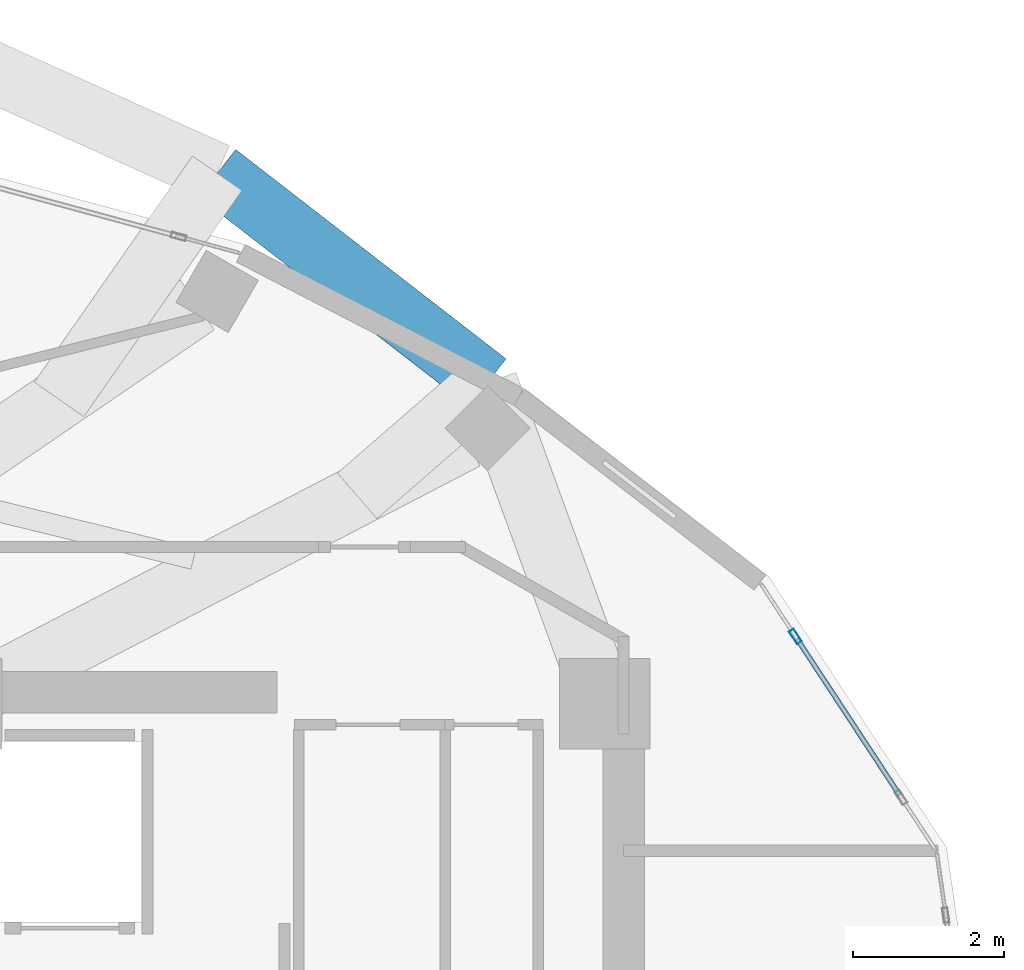
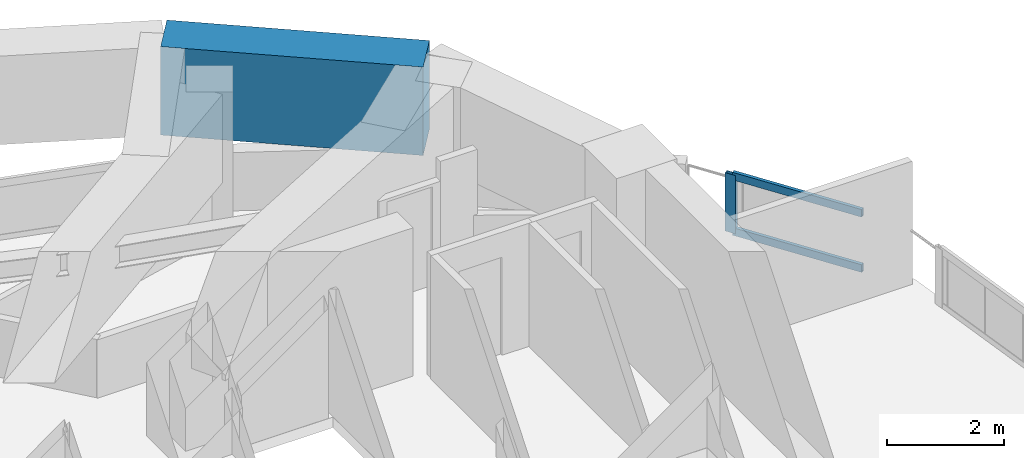
# One storey, part 10 of 20: 3 members, 1 beam, 1 element without a shape of its own.
"""IFC4 building model written with IfcOpenShell, lengths in metres."""

from ifc_helpers import new_model, si_unit, direction, frame, origin, origin_2d, place, context, subcontext, project, spatial, rectangle, hollow_rectangle, extrude, material, layer, layer_set, material_profile, profile_set, type_object, element, aggregate, save


model = new_model("IFC4")

# Units and contexts
model_context = context("Model", 3, precision=1e-05, world=origin(), true_north=direction((0.0, 1.0)))
body_context = subcontext(model_context, "Body", "Model", "MODEL_VIEW")
ifc_project = project(units=[si_unit("LENGTHUNIT", "METRE"), si_unit("AREAUNIT", "SQUARE_METRE"), si_unit("VOLUMEUNIT", "CUBIC_METRE"), si_unit("PLANEANGLEUNIT", "RADIAN"), si_unit("MASSUNIT", "GRAM", prefix="KILO")], contexts=[model_context])

# Site, building, storey
site_placement = place(None, origin())
site = spatial("IfcSite", under=ifc_project, at=site_placement, CompositionType="ELEMENT")
building_placement = place(site_placement, origin())
building = spatial("IfcBuilding", under=site, at=building_placement, Name="Solvane Sanctuary Tower", CompositionType="ELEMENT")
storey_placement = place(building_placement, frame((0.0, 0.0, 217.10009765625)))
storey = spatial("IfcBuildingStorey", under=building, at=storey_placement, Name="L66", CompositionType="ELEMENT", Elevation=217.10009765625)

# Beam
ifc_material_1 = material(Name="Concrete C70/85", Category="concrete")
ifc_material_profile_1 = material_profile(ifc_material_1, rectangle(XDim=0.800048828125, YDim=1.85009765625, at=origin_2d()), Name="RC800X1850")
ifc_profile_set_1 = profile_set([ifc_material_profile_1], Name="Concrete C70/85")
beam_type = type_object("IfcBeamType", Name="Beam B-XFER-BLK RC800X1850", PredefinedType="BEAM", material=ifc_profile_set_1)
beam_placement = place(storey_placement, frame((43.55517578125, 37.241455078125, 2.1748046875), z_axis=(0.790664929002, -0.612249107836, 0.0), x_axis=(0.612249107836, 0.790664929002, 0.0)))
element("IfcBeam", 1, at=beam_placement, inside=storey, type_object=beam_type, Name="L66 Perimeter Step Transfer Ring NTC02-NTC01", PredefinedType="BEAM", context=body_context, shape_type="SweptSolid", body=[
    extrude(rectangle(XDim=0.800048828125, YDim=1.85009765625, at=origin_2d()), origin(), (0.0, 0.0, 1.0), 4.540283203125),
])

# Curtain wall, members
ifc_material_2 = material(Name="Anodised Aluminium 6063-T6", Category="aluminium")
ifc_layer = layer(ifc_material_2, 0.2099609375, Name="Anodised Aluminium 6063-T6")
ifc_layer_set = layer_set([ifc_layer], Name="Anodised Aluminium 6063-T6")
curtain_wall_type = type_object("IfcCurtainWallType", Name="Curtain Wall CW-PORTAL", PredefinedType="NOTDEFINED", material=ifc_layer_set)
curtain_wall_placement = place(storey_placement, origin())
curtain_wall = element("IfcCurtainWall", 2, at=curtain_wall_placement, inside=storey, type_object=curtain_wall_type, Name="L66 CW-PORTAL Facade Run 01", PredefinedType="NOTDEFINED")
ifc_material_profile_2 = material_profile(ifc_material_2, hollow_rectangle(XDim=0.074951171875, YDim=0.199951171875, WallThickness=0.00390625, at=origin_2d()), Name="ALU200X75X4")
ifc_profile_set_2 = profile_set([ifc_material_profile_2], Name="Anodised Aluminium 6063-T6")
member_type_1 = type_object("IfcMemberType", Name="Member M-CW-MUL-1 ALU200X75X4", PredefinedType="MULLION", material=ifc_profile_set_2)
member_1_placement = place(storey_placement, frame((51.2314453125, 31.09228515625, 0.0), z_axis=(0.0, 0.0, 1.0), x_axis=(-0.83595908826, -0.548791766298, 0.0)))
member_1 = element("IfcMember", 3, at=member_1_placement, type_object=member_type_1, Name="CW-PORTAL mullion 2", PredefinedType="MULLION", context=body_context, shape_type="SweptSolid", body=[
    extrude(hollow_rectangle(XDim=0.074951171875, YDim=0.199951171875, WallThickness=0.00390625, at=origin_2d()), origin(), (0.0, 0.0, 1.0), 1.219970703125),
])
ifc_material_profile_3 = material_profile(ifc_material_2, hollow_rectangle(XDim=0.06494140625, YDim=0.159912109375, WallThickness=0.00341796875, at=origin_2d()), Name="ALU160X65X3.5")
ifc_profile_set_3 = profile_set([ifc_material_profile_3], Name="Anodised Aluminium 6063-T6")
member_type_2 = type_object("IfcMemberType", Name="Member M-CW-TRN-1 ALU160X65X3.5", PredefinedType="USERDEFINED", material=ifc_profile_set_3)
member_2_placement = place(storey_placement, frame((52.613525390625, 28.987060546875, 0.032470703125), z_axis=(-0.5488498942, 0.835920925469, 0.0), x_axis=(-0.835920925469, -0.5488498942, 0.0)))
member_2 = element("IfcMember", 4, at=member_2_placement, type_object=member_type_2, Name="CW-PORTAL transom 1.1", ObjectType="TRANSOM", PredefinedType="USERDEFINED", context=body_context, shape_type="SweptSolid", body=[
    extrude(hollow_rectangle(XDim=0.06494140625, YDim=0.159912109375, WallThickness=0.00341796875, at=origin_2d()), origin(), (0.0, 0.0, 1.0), 2.480712890625),
])
member_3_placement = place(storey_placement, frame((52.613525390625, 28.987060546875, 1.1875), z_axis=(-0.5488498942, 0.835920925469, 0.0), x_axis=(-0.835920925469, -0.5488498942, 0.0)))
member_3 = element("IfcMember", 5, at=member_3_placement, type_object=member_type_2, Name="CW-PORTAL transom 1.2", ObjectType="TRANSOM", PredefinedType="USERDEFINED", context=body_context, shape_type="SweptSolid", body=[
    extrude(hollow_rectangle(XDim=0.06494140625, YDim=0.159912109375, WallThickness=0.00341796875, at=origin_2d()), origin(), (0.0, 0.0, 1.0), 2.480712890625),
])
aggregate(curtain_wall, [member_1, member_2, member_3])

save(model, "model.ifc")
